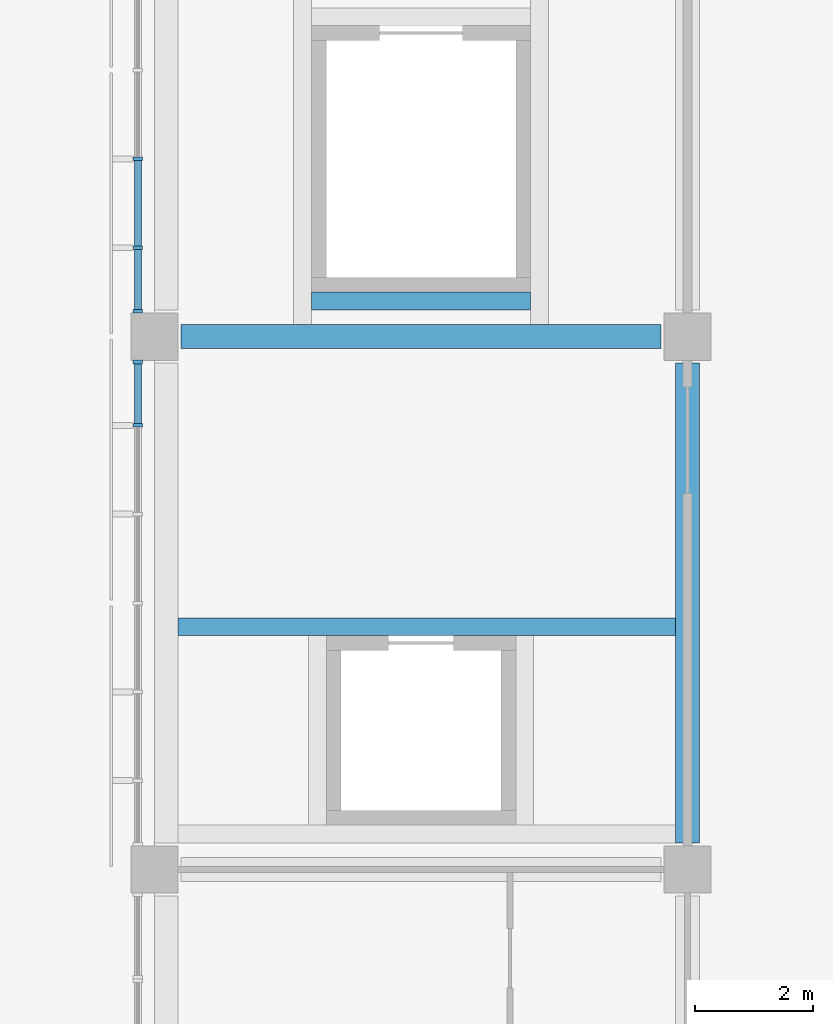
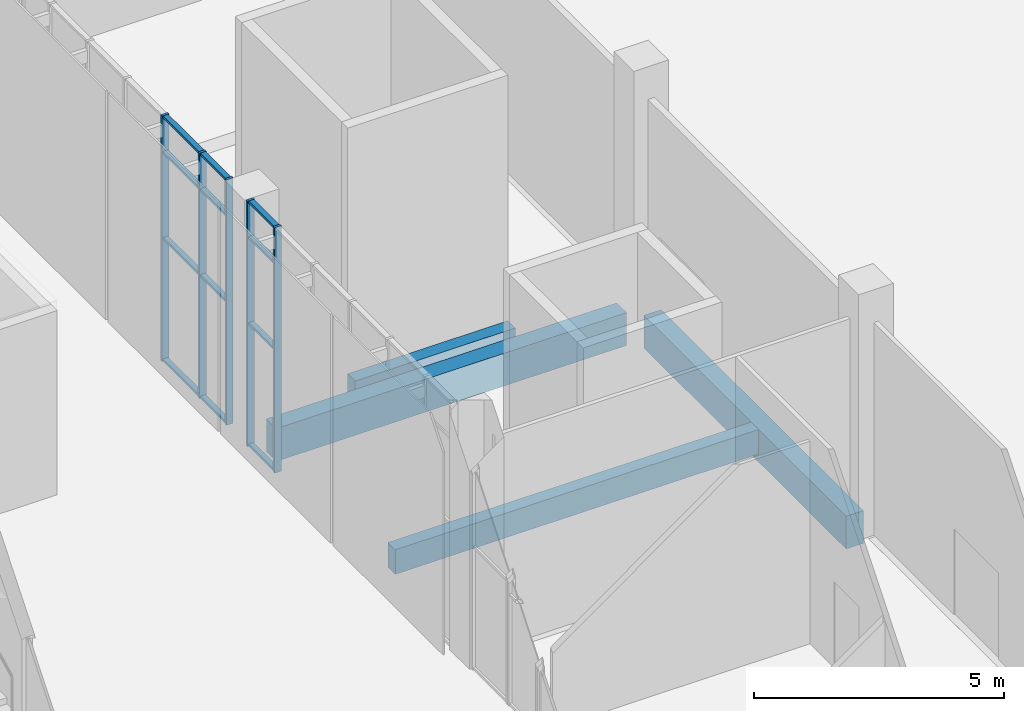
# One storey, part 20 of 86: 17 members, 4 beams, 2 elements without a shape of their own.
"""IFC4 building model written with IfcOpenShell, lengths in metres."""

from ifc_helpers import new_model, si_unit, direction, frame, origin, origin_2d, place, context, subcontext, project, spatial, rectangle, extrude, material, layer, layer_set, material_profile, profile_set, type_object, element, aggregate, save


model = new_model("IFC4")

# Units and contexts
model_context = context("Model", 3, precision=1e-05, world=origin(), true_north=direction((0.0, 1.0)))
body_context = subcontext(model_context, "Body", "Model", "MODEL_VIEW")
ifc_project = project(units=[si_unit("LENGTHUNIT", "METRE"), si_unit("AREAUNIT", "SQUARE_METRE"), si_unit("VOLUMEUNIT", "CUBIC_METRE"), si_unit("PLANEANGLEUNIT", "RADIAN"), si_unit("MASSUNIT", "GRAM", prefix="KILO")], contexts=[model_context])

# Site, building, storey
site_placement = place(None, origin())
site = spatial("IfcSite", under=ifc_project, at=site_placement, CompositionType="ELEMENT")
building_placement = place(site_placement, origin())
building = spatial("IfcBuilding", under=site, at=building_placement, Name="Guidao Yard Department Store", CompositionType="ELEMENT")
storey_placement = place(building_placement, origin())
storey = spatial("IfcBuildingStorey", under=building, at=storey_placement, Name="L00", CompositionType="ELEMENT", Elevation=0.0)

# Beams
ifc_material_1 = material(Name="Concrete C40", Category="concrete")
ifc_material_profile_1 = material_profile(ifc_material_1, rectangle(XDim=0.39990234375, YDim=0.800048828125, at=origin_2d()), Name="Edge beam 400 x 800 C40")
ifc_profile_set_1 = profile_set([ifc_material_profile_1], Name="Concrete C40")
beam_type_1 = type_object("IfcBeamType", Name="Edge beam 400 x 800 C40", PredefinedType="BEAM", material=ifc_profile_set_1)
for number, where, z_axis, x_axis, name in (
    (1, (81.0, 81.449951171875, -0.39990234375), (0.0, 1.0, 0.0), (-1.0, 0.0, 0.0), "Beam EB59"),
    (2, (72.449951171875, 90.0, -0.39990234375), (1.0, 0.0, 0.0), (0.0, 1.0, 0.0), "Beam EB102"),
):
    element("IfcBeam", number, at=place(storey_placement, frame(where, z_axis=z_axis, x_axis=x_axis)), inside=storey, type_object=beam_type_1, Name=name, PredefinedType="BEAM", context=body_context, shape_type="SweptSolid", body=[
        extrude(rectangle(XDim=0.39990234375, YDim=0.800048828125, at=origin_2d()), origin(), (0.0, 0.0, 1.0), 8.10009765625),
    ])

# Curtain wall, members
ifc_material_2 = material(Name="Aluminium and glass", Category="aluminium")
ifc_layer = layer(ifc_material_2, 0.159912109375)
ifc_layer_set = layer_set([ifc_layer], Name="Shopfront curtain wall CW1 1500 module")
curtain_wall_type = type_object("IfcCurtainWallType", Name="Shopfront curtain wall CW1 1500 module", PredefinedType="NOTDEFINED", material=ifc_layer_set)
curtain_wall_1_placement = place(storey_placement, origin())
curtain_wall_1 = element("IfcCurtainWall", 3, at=curtain_wall_1_placement, inside=storey, type_object=curtain_wall_type, Name="Arcade shop front", PredefinedType="NOTDEFINED")
ifc_material_3 = material(Name="Aluminium 6063-T5", Category="aluminium")
ifc_material_profile_2 = material_profile(ifc_material_3, rectangle(XDim=0.06005859375, YDim=0.159912109375, at=origin_2d()), Name="Mullion M1 60 x 160 aluminium pressure plate")
ifc_profile_set_2 = profile_set([ifc_material_profile_2], Name="Aluminium 6063-T5")
member_type_1 = type_object("IfcMemberType", Name="Mullion M1 60 x 160 aluminium pressure plate", PredefinedType="MULLION", material=ifc_profile_set_2)
member_1_placement = place(storey_placement, frame((71.719970703125, 88.5, 0.0), z_axis=(0.0, 0.0, 1.0), x_axis=(0.0, 1.0, 0.0)))
member_1 = element("IfcMember", 4, at=member_1_placement, type_object=member_type_1, Name="CW-AS-L00-08 mullion 6", PredefinedType="MULLION", context=body_context, shape_type="SweptSolid", body=[
    extrude(rectangle(XDim=0.06005859375, YDim=0.159912109375, at=origin_2d()), origin(), (0.0, 0.0, 1.0), 6.0),
])
member_2_placement = place(storey_placement, frame((71.719970703125, 89.570068359375, 0.0), z_axis=(0.0, 0.0, 1.0), x_axis=(0.0, 1.0, 0.0)))
member_2 = element("IfcMember", 5, at=member_2_placement, type_object=member_type_1, Name="CW-AS-L00-08 mullion 7", PredefinedType="MULLION", context=body_context, shape_type="SweptSolid", body=[
    extrude(rectangle(XDim=0.06005859375, YDim=0.159912109375, at=origin_2d()), origin(), (0.0, 0.0, 1.0), 6.0),
])

curtain_wall_2_placement = place(storey_placement, origin())
curtain_wall_2 = element("IfcCurtainWall", 6, at=curtain_wall_2_placement, inside=storey, type_object=curtain_wall_type, Name="Arcade shop front", PredefinedType="NOTDEFINED")
member_3_placement = place(storey_placement, frame((71.719970703125, 90.429931640625, 0.0), z_axis=(0.0, 0.0, 1.0), x_axis=(0.0, 1.0, 0.0)))
member_3 = element("IfcMember", 7, at=member_3_placement, type_object=member_type_1, Name="CW-AS-L00-09 mullion 1", PredefinedType="MULLION", context=body_context, shape_type="SweptSolid", body=[
    extrude(rectangle(XDim=0.06005859375, YDim=0.159912109375, at=origin_2d()), origin(), (0.0, 0.0, 1.0), 6.0),
])
member_4_placement = place(storey_placement, frame((71.719970703125, 91.5, 0.0), z_axis=(0.0, 0.0, 1.0), x_axis=(0.0, 1.0, 0.0)))
member_4 = element("IfcMember", 8, at=member_4_placement, type_object=member_type_1, Name="CW-AS-L00-09 mullion 2", PredefinedType="MULLION", context=body_context, shape_type="SweptSolid", body=[
    extrude(rectangle(XDim=0.06005859375, YDim=0.159912109375, at=origin_2d()), origin(), (0.0, 0.0, 1.0), 6.0),
])
member_5_placement = place(storey_placement, frame((71.719970703125, 93.0, 0.0), z_axis=(0.0, 0.0, 1.0), x_axis=(0.0, 1.0, 0.0)))
member_5 = element("IfcMember", 9, at=member_5_placement, type_object=member_type_1, Name="CW-AS-L00-09 mullion 3", PredefinedType="MULLION", context=body_context, shape_type="SweptSolid", body=[
    extrude(rectangle(XDim=0.06005859375, YDim=0.159912109375, at=origin_2d()), origin(), (0.0, 0.0, 1.0), 6.0),
])

# Beams
ifc_material_4 = material(Name="Concrete C40", Category="concrete")
ifc_material_profile_3 = material_profile(ifc_material_4, rectangle(XDim=0.300048828125, YDim=0.60009765625, at=origin_2d()), Name="Opening beam 300 x 600 C40")
ifc_profile_set_3 = profile_set([ifc_material_profile_3], Name="Concrete C40")
beam_type_2 = type_object("IfcBeamType", Name="Opening beam 300 x 600 C40", PredefinedType="BEAM", material=ifc_profile_set_3)
beam_1_placement = place(storey_placement, frame((72.39990234375, 85.10009765625, -0.300048828125), z_axis=(1.0, 0.0, 0.0), x_axis=(0.0, 1.0, 0.0)))
element("IfcBeam", 10, at=beam_1_placement, inside=storey, type_object=beam_type_2, Name="Beam OB18", PredefinedType="BEAM", context=body_context, shape_type="SweptSolid", body=[
    extrude(rectangle(XDim=0.300048828125, YDim=0.60009765625, at=origin_2d()), origin(), (0.0, 0.0, 1.0), 8.400146484375),
])
beam_2_placement = place(storey_placement, frame((74.64990234375, 90.60009765625, -0.300048828125), z_axis=(1.0, 0.0, 0.0), x_axis=(0.0, 1.0, 0.0)))
element("IfcBeam", 11, at=beam_2_placement, inside=storey, type_object=beam_type_2, Name="Beam OB23", PredefinedType="BEAM", context=body_context, shape_type="SweptSolid", body=[
    extrude(rectangle(XDim=0.300048828125, YDim=0.60009765625, at=origin_2d()), origin(), (0.0, 0.0, 1.0), 3.7001953125),
])

# Member
ifc_material_5 = material(Name="Aluminium 6063-T5", Category="aluminium")
ifc_material_profile_4 = material_profile(ifc_material_5, rectangle(XDim=0.1201171875, YDim=0.06005859375, at=origin_2d()), Name="Transom T1 60 x 120 aluminium pressure plate")
ifc_profile_set_4 = profile_set([ifc_material_profile_4], Name="Aluminium 6063-T5")
member_type_2 = type_object("IfcMemberType", Name="Transom T1 60 x 120 aluminium pressure plate", PredefinedType="USERDEFINED", material=ifc_profile_set_4)
member_6_placement = place(storey_placement, frame((71.719970703125, 88.530029296875, 0.030029296875), z_axis=(0.0, 1.0, 0.0), x_axis=(-1.0, 0.0, 0.0)))
member_6 = element("IfcMember", 12, at=member_6_placement, type_object=member_type_2, Name="CW-AS-L00-08 transom 6.1", ObjectType="TRANSOM", PredefinedType="USERDEFINED", context=body_context, shape_type="SweptSolid", body=[
    extrude(rectangle(XDim=0.1201171875, YDim=0.06005859375, at=origin_2d()), origin(), (0.0, 0.0, 1.0), 1.010009765625),
])

member_7_placement = place(storey_placement, frame((71.719970703125, 88.530029296875, 3.0), z_axis=(0.0, 1.0, 0.0), x_axis=(-1.0, 0.0, 0.0)))
member_7 = element("IfcMember", 13, at=member_7_placement, type_object=member_type_2, Name="CW-AS-L00-08 transom 6.2", ObjectType="TRANSOM", PredefinedType="USERDEFINED", context=body_context, shape_type="SweptSolid", body=[
    extrude(rectangle(XDim=0.1201171875, YDim=0.06005859375, at=origin_2d()), origin(), (0.0, 0.0, 1.0), 1.010009765625),
])

member_8_placement = place(storey_placement, frame((71.719970703125, 88.530029296875, 5.10009765625), z_axis=(0.0, 1.0, 0.0), x_axis=(-1.0, 0.0, 0.0)))
member_8 = element("IfcMember", 14, at=member_8_placement, type_object=member_type_2, Name="CW-AS-L00-08 transom 6.3", ObjectType="TRANSOM", PredefinedType="USERDEFINED", context=body_context, shape_type="SweptSolid", body=[
    extrude(rectangle(XDim=0.1201171875, YDim=0.06005859375, at=origin_2d()), origin(), (0.0, 0.0, 1.0), 1.010009765625),
])

member_9_placement = place(storey_placement, frame((71.719970703125, 88.530029296875, 5.969970703125), z_axis=(0.0, 1.0, 0.0), x_axis=(-1.0, 0.0, 0.0)))
member_9 = element("IfcMember", 15, at=member_9_placement, type_object=member_type_2, Name="CW-AS-L00-08 transom 6.4", ObjectType="TRANSOM", PredefinedType="USERDEFINED", context=body_context, shape_type="SweptSolid", body=[
    extrude(rectangle(XDim=0.1201171875, YDim=0.06005859375, at=origin_2d()), origin(), (0.0, 0.0, 1.0), 1.010009765625),
])

aggregate(curtain_wall_1, [member_1, member_2, member_6, member_7, member_8, member_9])

member_10_placement = place(storey_placement, frame((71.719970703125, 90.4599609375, 0.030029296875), z_axis=(0.0, 1.0, 0.0), x_axis=(-1.0, 0.0, 0.0)))
member_10 = element("IfcMember", 16, at=member_10_placement, type_object=member_type_2, Name="CW-AS-L00-09 transom 1.1", ObjectType="TRANSOM", PredefinedType="USERDEFINED", context=body_context, shape_type="SweptSolid", body=[
    extrude(rectangle(XDim=0.1201171875, YDim=0.06005859375, at=origin_2d()), origin(), (0.0, 0.0, 1.0), 1.010009765625),
])

member_11_placement = place(storey_placement, frame((71.719970703125, 90.4599609375, 3.0), z_axis=(0.0, 1.0, 0.0), x_axis=(-1.0, 0.0, 0.0)))
member_11 = element("IfcMember", 17, at=member_11_placement, type_object=member_type_2, Name="CW-AS-L00-09 transom 1.2", ObjectType="TRANSOM", PredefinedType="USERDEFINED", context=body_context, shape_type="SweptSolid", body=[
    extrude(rectangle(XDim=0.1201171875, YDim=0.06005859375, at=origin_2d()), origin(), (0.0, 0.0, 1.0), 1.010009765625),
])

member_12_placement = place(storey_placement, frame((71.719970703125, 90.4599609375, 5.10009765625), z_axis=(0.0, 1.0, 0.0), x_axis=(-1.0, 0.0, 0.0)))
member_12 = element("IfcMember", 18, at=member_12_placement, type_object=member_type_2, Name="CW-AS-L00-09 transom 1.3", ObjectType="TRANSOM", PredefinedType="USERDEFINED", context=body_context, shape_type="SweptSolid", body=[
    extrude(rectangle(XDim=0.1201171875, YDim=0.06005859375, at=origin_2d()), origin(), (0.0, 0.0, 1.0), 1.010009765625),
])

member_13_placement = place(storey_placement, frame((71.719970703125, 90.4599609375, 5.969970703125), z_axis=(0.0, 1.0, 0.0), x_axis=(-1.0, 0.0, 0.0)))
member_13 = element("IfcMember", 19, at=member_13_placement, type_object=member_type_2, Name="CW-AS-L00-09 transom 1.4", ObjectType="TRANSOM", PredefinedType="USERDEFINED", context=body_context, shape_type="SweptSolid", body=[
    extrude(rectangle(XDim=0.1201171875, YDim=0.06005859375, at=origin_2d()), origin(), (0.0, 0.0, 1.0), 1.010009765625),
])

member_14_placement = place(storey_placement, frame((71.719970703125, 91.530029296875, 0.030029296875), z_axis=(0.0, 1.0, 0.0), x_axis=(-1.0, 0.0, 0.0)))
member_14 = element("IfcMember", 20, at=member_14_placement, type_object=member_type_2, Name="CW-AS-L00-09 transom 2.1", ObjectType="TRANSOM", PredefinedType="USERDEFINED", context=body_context, shape_type="SweptSolid", body=[
    extrude(rectangle(XDim=0.1201171875, YDim=0.06005859375, at=origin_2d()), origin(), (0.0, 0.0, 1.0), 1.43994140625),
])

member_15_placement = place(storey_placement, frame((71.719970703125, 91.530029296875, 3.0), z_axis=(0.0, 1.0, 0.0), x_axis=(-1.0, 0.0, 0.0)))
member_15 = element("IfcMember", 21, at=member_15_placement, type_object=member_type_2, Name="CW-AS-L00-09 transom 2.2", ObjectType="TRANSOM", PredefinedType="USERDEFINED", context=body_context, shape_type="SweptSolid", body=[
    extrude(rectangle(XDim=0.1201171875, YDim=0.06005859375, at=origin_2d()), origin(), (0.0, 0.0, 1.0), 1.43994140625),
])

member_16_placement = place(storey_placement, frame((71.719970703125, 91.530029296875, 5.10009765625), z_axis=(0.0, 1.0, 0.0), x_axis=(-1.0, 0.0, 0.0)))
member_16 = element("IfcMember", 22, at=member_16_placement, type_object=member_type_2, Name="CW-AS-L00-09 transom 2.3", ObjectType="TRANSOM", PredefinedType="USERDEFINED", context=body_context, shape_type="SweptSolid", body=[
    extrude(rectangle(XDim=0.1201171875, YDim=0.06005859375, at=origin_2d()), origin(), (0.0, 0.0, 1.0), 1.43994140625),
])

member_17_placement = place(storey_placement, frame((71.719970703125, 91.530029296875, 5.969970703125), z_axis=(0.0, 1.0, 0.0), x_axis=(-1.0, 0.0, 0.0)))
member_17 = element("IfcMember", 23, at=member_17_placement, type_object=member_type_2, Name="CW-AS-L00-09 transom 2.4", ObjectType="TRANSOM", PredefinedType="USERDEFINED", context=body_context, shape_type="SweptSolid", body=[
    extrude(rectangle(XDim=0.1201171875, YDim=0.06005859375, at=origin_2d()), origin(), (0.0, 0.0, 1.0), 1.43994140625),
])

aggregate(curtain_wall_2, [member_3, member_4, member_5, member_10, member_11, member_12, member_13, member_14, member_15, member_16, member_17])

save(model, "model.ifc")
